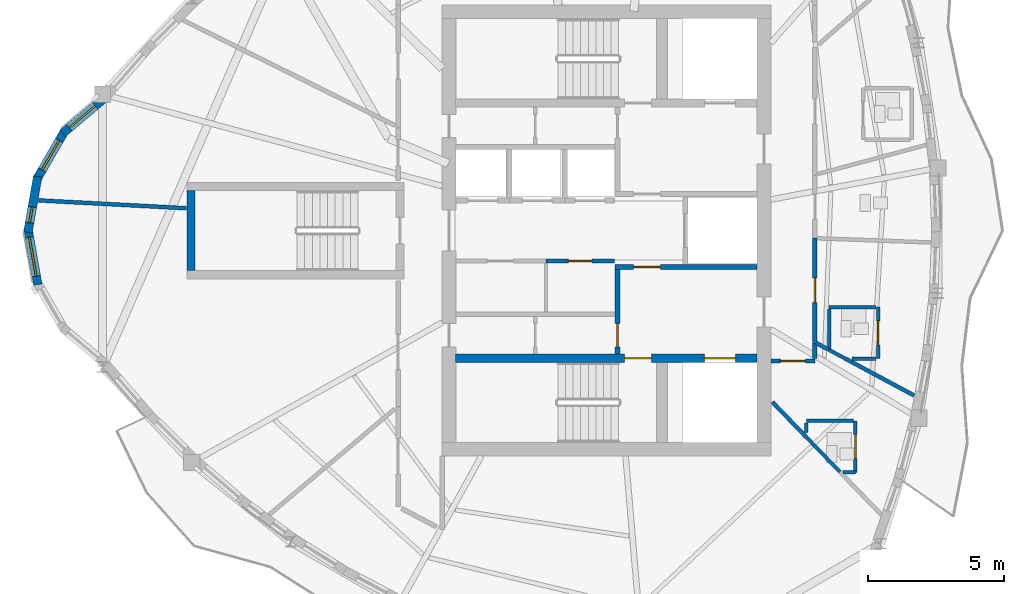
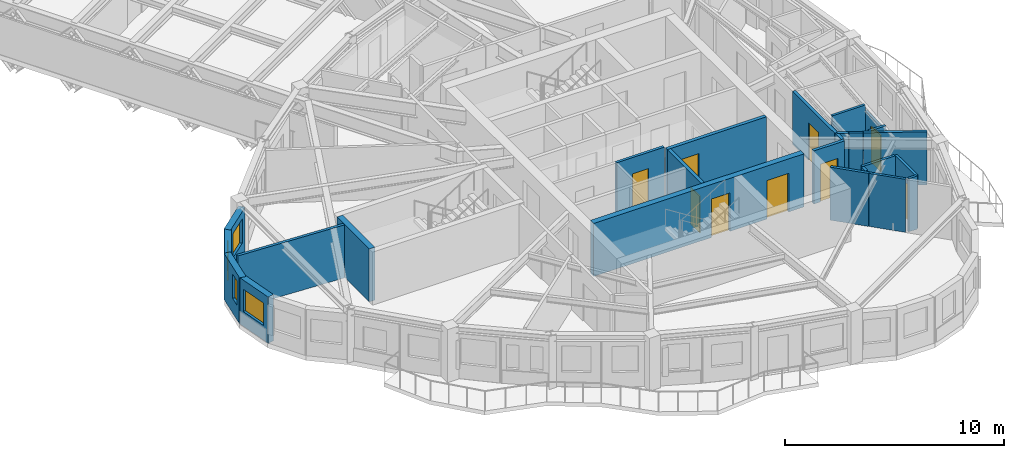
# One storey, part 6 of 14: 26 walls, 9 doors, 4 windows, 13 openings.
"""IFC4 building model written with IfcOpenShell, lengths in metres."""

from ifc_helpers import new_model, si_unit, direction, frame, frame_2d, origin, place, context, subcontext, project, spatial, rectangle, extrude, source, transform, mapped, material, layer, layer_set, type_object, element, fill, save


model = new_model("IFC4")

# Units and contexts
model_context = context("Model", 3, precision=1e-05, world=origin(), true_north=direction((0.0, 1.0)))
body_context = subcontext(model_context, "Body", "Model", "MODEL_VIEW")
ifc_project = project(units=[si_unit("LENGTHUNIT", "METRE"), si_unit("AREAUNIT", "SQUARE_METRE"), si_unit("VOLUMEUNIT", "CUBIC_METRE"), si_unit("PLANEANGLEUNIT", "RADIAN"), si_unit("MASSUNIT", "GRAM", prefix="KILO")], contexts=[model_context])

# Site, building, storey
site_placement = place(None, origin())
site = spatial("IfcSite", under=ifc_project, at=site_placement, CompositionType="ELEMENT")
building_placement = place(site_placement, origin())
building = spatial("IfcBuilding", under=site, at=building_placement, Name="Qafzar Sky-Pleat Residences", CompositionType="ELEMENT")
storey_placement = place(building_placement, frame((0.0, 0.0, 211.60009765625)))
storey = spatial("IfcBuildingStorey", under=building, at=storey_placement, Name="L63", CompositionType="ELEMENT", Elevation=211.60009765625)

# Wall, opening, door
ifc_material_1 = material(Name="Acoustic gypsum plasterboard partition", Category="gypsum")
ifc_layer_1 = layer(ifc_material_1, 0.159912109375)
ifc_layer_set_1 = layer_set([ifc_layer_1], Name="Acoustic gypsum plasterboard partition")
wall_type_1 = type_object("IfcWallType", Name="PART-COR-160", PredefinedType="PARTITIONING", material=ifc_layer_set_1)
wall_1_placement = place(storey_placement, frame((38.02001953125, 25.73291015625, 0.0), z_axis=(0.0, 0.0, 1.0), x_axis=(0.0, -1.0, 0.0)))
wall_1 = element("IfcWall", 1, at=wall_1_placement, inside=storey, type_object=wall_type_1, Name="L63 Partition Wall PART-L63-PW-006", PredefinedType="PARTITIONING", context=body_context, shape_type="SweptSolid", body=[
    extrude(rectangle(XDim=3.86181640625, YDim=0.159912109375, at=frame_2d((1.930908203125, 0.0))), origin(), (0.0, 0.0, 1.0), 2.9599609375),
])
opening_1_placement = place(wall_1_placement, frame((1.469970703125, 0.0, 0.0)))
opening_1 = element("IfcOpeningElement", 2, at=opening_1_placement, cuts=wall_1, Name="Opening ID-04", PredefinedType="OPENING", context=body_context, shape_type="SweptSolid", body=[
    extrude(rectangle(XDim=0.919921875, YDim=2.10009765625, at=frame_2d((0.4599609375, 1.050048828125))), frame((0.0, 0.08984375, 0.0), z_axis=(0.0, -1.0, 0.0), x_axis=(1.0, 0.0, 0.0)), (0.0, 0.0, 1.0), 0.179931640625),
])
ifc_material_2 = material(Name="Timber-faced fire door", Category="wood")
door_type_1 = type_object("IfcDoorType", Name="DR-BED-920", OperationType="NOTDEFINED", PredefinedType="DOOR", material=ifc_material_2)
shared_shape_1 = source(origin(), body_context, "Body", "SweptSolid", [
    extrude(rectangle(XDim=0.919921875, YDim=2.10009765625, at=frame_2d((0.4599609375, 1.050048828125))), frame((0.0, 0.02490234375, 0.0), z_axis=(0.0, -1.0, 0.0), x_axis=(1.0, 0.0, 0.0)), (0.0, 0.0, 1.0), 0.050048828125),
])
door_1_placement = place(opening_1_placement, origin())
door_1 = element("IfcDoor", 3, at=door_1_placement, inside=storey, type_object=door_type_1, Name="L63 Co-Living Bedroom 2 Door", OperationType="SINGLE_SWING_RIGHT", OverallHeight=2.10009765625, OverallWidth=0.919921875, PredefinedType="DOOR", context=body_context, shape_type="MappedRepresentation", body=[
    mapped(shared_shape_1, transform((0.0, 0.0, 0.0), x_axis=(1.0, 0.0, 0.0), y_axis=(0.0, 1.0, 0.0), z_axis=(0.0, 0.0, 1.0), scale=1.0)),
])
fill(opening_1, door_1)

wall_2_placement = place(storey_placement, frame((38.02001953125, 21.199951171875, 0.0), z_axis=(0.0, 0.0, 1.0), x_axis=(-1.0, 0.0, 0.0)))
wall_2 = element("IfcWall", 4, at=wall_2_placement, inside=storey, type_object=wall_type_1, Name="L63 Partition Wall PART-L63-PW-016", PredefinedType="PARTITIONING", context=body_context, shape_type="SweptSolid", body=[
    extrude(rectangle(XDim=1.612060546875, YDim=0.159912109375, at=frame_2d((0.80615234375, 0.0))), origin(), (0.0, 0.0, 1.0), 2.9599609375),
])
opening_2_placement = place(wall_2_placement, frame((0.35009765625, 0.0, 0.0)))
opening_2 = element("IfcOpeningElement", 5, at=opening_2_placement, cuts=wall_2, Name="Opening ID-04", PredefinedType="OPENING", context=body_context, shape_type="SweptSolid", body=[
    extrude(rectangle(XDim=0.919921875, YDim=2.10009765625, at=frame_2d((0.4599609375, 1.050048828125))), frame((0.0, 0.08984375, 0.0), z_axis=(0.0, -1.0, 0.0), x_axis=(1.0, 0.0, 0.0)), (0.0, 0.0, 1.0), 0.179931640625),
])
door_2_placement = place(opening_2_placement, origin())
door_2 = element("IfcDoor", 6, at=door_2_placement, inside=storey, type_object=door_type_1, Name="L63 Co-Living Bedroom 1 Door", OperationType="SINGLE_SWING_RIGHT", OverallHeight=2.10009765625, OverallWidth=0.919921875, PredefinedType="DOOR", context=body_context, shape_type="MappedRepresentation", body=[
    mapped(shared_shape_1, transform((0.0, 0.0, 0.0), x_axis=(1.0, 0.0, 0.0), y_axis=(0.0, 1.0, 0.0), z_axis=(0.0, 0.0, 1.0), scale=1.0)),
])
fill(opening_2, door_2)

# Wall
wall_3_placement = place(storey_placement, frame((38.02001953125, 21.2880859375, 0.0), z_axis=(0.0, 0.0, 1.0), x_axis=(0.0, 1.0, 0.0)))
element("IfcWall", 7, at=wall_3_placement, inside=storey, type_object=wall_type_1, Name="L63 Partition Wall PART-L63-PW-053", PredefinedType="PARTITIONING", context=body_context, shape_type="SweptSolid", body=[
    extrude(rectangle(XDim=0.56787109375, YDim=0.159912109375, at=frame_2d((0.283935546875, 0.0))), origin(), (0.0, 0.0, 1.0), 2.9599609375),
])

# Wall, opening, door
ifc_material_3 = material(Name="Concrete blockwork partition", Category="masonry")
ifc_layer_2 = layer(ifc_material_3, 0.179931640625)
ifc_layer_set_2 = layer_set([ifc_layer_2], Name="Concrete blockwork partition")
wall_type_2 = type_object("IfcWallType", Name="PART-SHAFT-180", PredefinedType="PARTITIONING", material=ifc_layer_set_2)
wall_4_placement = place(storey_placement, frame((30.75, 21.4599609375, 0.0), z_axis=(0.0, 0.0, 1.0), x_axis=(0.0, 1.0, 0.0)))
wall_4 = element("IfcWall", 8, at=wall_4_placement, inside=storey, type_object=wall_type_2, Name="L63 Partition Wall PART-L63-FFL1-W", PredefinedType="PARTITIONING", context=body_context, shape_type="SweptSolid", body=[
    extrude(rectangle(XDim=3.110107421875, YDim=0.179931640625, at=frame_2d((1.55517578125, 0.0))), origin(), (0.0, 0.0, 1.0), 2.9599609375),
])
opening_3_placement = place(wall_4_placement, frame((0.260009765625, 0.0, 0.0)))
opening_3 = element("IfcOpeningElement", 9, at=opening_3_placement, cuts=wall_4, Name="Opening ID-09", PredefinedType="OPENING", context=body_context, shape_type="SweptSolid", body=[
    extrude(rectangle(XDim=0.860107421875, YDim=2.050048828125, at=frame_2d((0.43017578125, 1.02490234375))), frame((0.0, 0.10009765625, 0.0), z_axis=(0.0, -1.0, 0.0), x_axis=(1.0, 0.0, 0.0)), (0.0, 0.0, 1.0), 0.199951171875),
])
door_type_2 = type_object("IfcDoorType", Name="DR-SVC-860", OperationType="NOTDEFINED", PredefinedType="DOOR", material=ifc_material_2)
shared_shape_2 = source(origin(), body_context, "Body", "SweptSolid", [
    extrude(rectangle(XDim=0.860107421875, YDim=2.050048828125, at=frame_2d((0.43017578125, 1.02490234375))), frame((0.0, 0.02490234375, 0.0), z_axis=(0.0, -1.0, 0.0), x_axis=(1.0, 0.0, 0.0)), (0.0, 0.0, 1.0), 0.050048828125),
])
door_3_placement = place(opening_3_placement, origin())
door_3 = element("IfcDoor", 10, at=door_3_placement, inside=storey, type_object=door_type_2, Name="L63 South Core Cupboard Door", OperationType="SINGLE_SWING_LEFT", OverallHeight=2.050048828125, OverallWidth=0.860107421875, PredefinedType="DOOR", context=body_context, shape_type="MappedRepresentation", body=[
    mapped(shared_shape_2, transform((0.0, 0.0, 0.0), x_axis=(1.0, 0.0, 0.0), y_axis=(0.0, 1.0, 0.0), z_axis=(0.0, 0.0, 1.0), scale=1.0)),
])
fill(opening_3, door_3)

wall_5_placement = place(storey_placement, frame((30.669921875, 24.659912109375, 0.0), z_axis=(0.0, 0.0, 1.0), x_axis=(1.0, 0.0, 0.0)))
wall_5 = element("IfcWall", 11, at=wall_5_placement, inside=storey, type_object=wall_type_2, Name="L63 Partition Wall PART-L63-FFL1-N", PredefinedType="PARTITIONING", context=body_context, shape_type="SweptSolid", body=[
    extrude(rectangle(XDim=5.219970703125, YDim=0.179931640625, at=frame_2d((2.60986328125, 0.0))), origin(), (0.0, 0.0, 1.0), 2.9599609375),
])
opening_4_placement = place(wall_5_placement, frame((0.679931640625, 0.0, 0.0)))
opening_4 = element("IfcOpeningElement", 12, at=opening_4_placement, cuts=wall_5, Name="Opening ID-01", PredefinedType="OPENING", context=body_context, shape_type="SweptSolid", body=[
    extrude(rectangle(XDim=0.97998046875, YDim=2.14990234375, at=frame_2d((0.489990234375, 1.074951171875))), frame((0.0, 0.10009765625, 0.0), z_axis=(0.0, -1.0, 0.0), x_axis=(1.0, 0.0, 0.0)), (0.0, 0.0, 1.0), 0.199951171875),
])
door_type_3 = type_object("IfcDoorType", Name="DR-STAIR-980", OperationType="NOTDEFINED", PredefinedType="DOOR", material=ifc_material_2)
shared_shape_3 = source(origin(), body_context, "Body", "SweptSolid", [
    extrude(rectangle(XDim=0.97998046875, YDim=2.14990234375, at=frame_2d((0.489990234375, 1.074951171875))), frame((0.0, 0.02490234375, 0.0), z_axis=(0.0, -1.0, 0.0), x_axis=(1.0, 0.0, 0.0)), (0.0, 0.0, 1.0), 0.050048828125),
])
door_4_placement = place(opening_4_placement, origin())
door_4 = element("IfcDoor", 13, at=door_4_placement, inside=storey, type_object=door_type_3, Name="L63 Lift Lobby to South Firefighting Lobby Door", OperationType="SINGLE_SWING_RIGHT", OverallHeight=2.14990234375, OverallWidth=0.97998046875, PredefinedType="DOOR", context=body_context, shape_type="MappedRepresentation", body=[
    mapped(shared_shape_3, transform((0.0, 0.0, 0.0), x_axis=(1.0, 0.0, 0.0), y_axis=(0.0, 1.0, 0.0), z_axis=(0.0, 0.0, 1.0), scale=1.0)),
])
fill(opening_4, door_4)

ifc_layer_3 = layer(ifc_material_1, 0.14501953125)
ifc_layer_set_3 = layer_set([ifc_layer_3], Name="Acoustic gypsum plasterboard partition")
wall_type_3 = type_object("IfcWallType", Name="PART-UNIT-145", PredefinedType="PARTITIONING", material=ifc_layer_set_3)
wall_6_placement = place(storey_placement, frame((28.1298828125, 24.8798828125, 0.0), z_axis=(0.0, 0.0, 1.0), x_axis=(1.0, 0.0, 0.0)))
wall_6 = element("IfcWall", 14, at=wall_6_placement, inside=storey, type_object=wall_type_3, Name="L63 Partition Wall PART-L63-RECLAIM-N2", PredefinedType="PARTITIONING", context=body_context, shape_type="SweptSolid", body=[
    extrude(rectangle(XDim=2.52001953125, YDim=0.14501953125, at=frame_2d((1.260009765625, 0.0))), origin(), (0.0, 0.0, 1.0), 2.9599609375),
])
opening_5_placement = place(wall_6_placement, frame((0.820068359375, 0.0, 0.0)))
opening_5 = element("IfcOpeningElement", 15, at=opening_5_placement, cuts=wall_6, Name="Opening ID-09", PredefinedType="OPENING", context=body_context, shape_type="SweptSolid", body=[
    extrude(rectangle(XDim=0.860107421875, YDim=2.050048828125, at=frame_2d((0.43017578125, 1.02490234375))), frame((0.0, 0.08251953125, 0.0), z_axis=(0.0, -1.0, 0.0), x_axis=(1.0, 0.0, 0.0)), (0.0, 0.0, 1.0), 0.1650390625),
])
door_5_placement = place(opening_5_placement, origin())
door_5 = element("IfcDoor", 16, at=door_5_placement, inside=storey, type_object=door_type_2, Name="L63 Reclaimed Linen Cupboard Door", OperationType="SINGLE_SWING_RIGHT", OverallHeight=2.050048828125, OverallWidth=0.860107421875, PredefinedType="DOOR", context=body_context, shape_type="MappedRepresentation", body=[
    mapped(shared_shape_2, transform((0.0, 0.0, 0.0), x_axis=(1.0, 0.0, 0.0), y_axis=(0.0, 1.0, 0.0), z_axis=(0.0, 0.0, 1.0), scale=1.0)),
])
fill(opening_5, door_5)

# Walls
wall_7_placement = place(storey_placement, frame((9.43310546875, 27.111572265625, 0.0), z_axis=(0.0, 0.0, 1.0), x_axis=(0.998589537807, -0.053093643525, 0.0)))
element("IfcWall", 17, at=wall_7_placement, inside=storey, type_object=wall_type_3, Name="L63 Partition Wall PART-L63-PW-022", PredefinedType="PARTITIONING", context=body_context, shape_type="SweptSolid", body=[
    extrude(rectangle(XDim=5.462890625, YDim=0.14501953125, at=frame_2d((2.7314453125, 0.0))), origin(), (0.0, 0.0, 1.0), 2.9599609375),
])
wall_8_placement = place(storey_placement, frame((39.1220703125, 21.297119140625, 0.0), z_axis=(0.0, 0.0, 1.0), x_axis=(0.881308328415, -0.472541670402, 0.0)))
element("IfcWall", 18, at=wall_8_placement, inside=storey, type_object=wall_type_3, Name="L63 Partition Wall PART-L63-PW-028", PredefinedType="PARTITIONING", context=body_context, shape_type="SweptSolid", body=[
    extrude(rectangle(XDim=2.89794921875, YDim=0.14501953125, at=frame_2d((1.448974609375, 0.0))), origin(), (0.0, 0.0, 1.0), 2.9599609375),
])
wall_9_placement = place(storey_placement, frame((36.457763671875, 19.686279296875, 0.0), z_axis=(0.0, 0.0, 1.0), x_axis=(0.695231916786, -0.718785490868, 0.0)))
element("IfcWall", 19, at=wall_9_placement, inside=storey, type_object=wall_type_3, Name="L63 Partition Wall PART-L63-PW-032", PredefinedType="PARTITIONING", context=body_context, shape_type="SweptSolid", body=[
    extrude(rectangle(XDim=1.82421875, YDim=0.14501953125, at=frame_2d((0.912109375, 0.0))), origin(), (0.0, 0.0, 1.0), 2.9599609375),
])
wall_10_placement = place(storey_placement, frame((38.0595703125, 21.86669921875, 0.0), z_axis=(0.0, 0.0, 1.0), x_axis=(0.881026965879, -0.473066047601, 0.0)))
element("IfcWall", 20, at=wall_10_placement, inside=storey, type_object=wall_type_3, Name="L63 Partition Wall PART-L63-PW-056", PredefinedType="PARTITIONING", context=body_context, shape_type="SweptSolid", body=[
    extrude(rectangle(XDim=0.521240234375, YDim=0.14501953125, at=frame_2d((0.2607421875, 0.0))), origin(), (0.0, 0.0, 1.0), 2.9599609375),
])

# Wall, opening, door
ifc_material_4 = material(Name="Moisture-resistant gypsum partition", Category="gypsum")
ifc_layer_4 = layer(ifc_material_4, 0.1298828125)
ifc_layer_set_4 = layer_set([ifc_layer_4], Name="Moisture-resistant gypsum partition")
wall_type_4 = type_object("IfcWallType", Name="PART-WET-130", PredefinedType="PARTITIONING", material=ifc_layer_set_4)
wall_11_placement = place(storey_placement, frame((39.510986328125, 17.093994140625, 0.0), z_axis=(0.0, 0.0, 1.0), x_axis=(0.0, 1.0, 0.0)))
wall_11 = element("IfcWall", 21, at=wall_11_placement, inside=storey, type_object=wall_type_4, Name="L63 Partition Wall PART-L63-PW-013", PredefinedType="PARTITIONING", context=body_context, shape_type="SweptSolid", body=[
    extrude(rectangle(XDim=1.89990234375, YDim=0.1298828125, at=frame_2d((0.949951171875, 0.0))), origin(), (0.0, 0.0, 1.0), 2.9599609375),
])
opening_6_placement = place(wall_11_placement, frame((0.510009765625, 0.0, 0.0)))
opening_6 = element("IfcOpeningElement", 22, at=opening_6_placement, cuts=wall_11, Name="Opening ID-07", PredefinedType="OPENING", context=body_context, shape_type="SweptSolid", body=[
    extrude(rectangle(XDim=0.8798828125, YDim=2.050048828125, at=frame_2d((0.43994140625, 1.02490234375))), frame((0.0, 0.074951171875, 0.0), z_axis=(0.0, -1.0, 0.0), x_axis=(1.0, 0.0, 0.0)), (0.0, 0.0, 1.0), 0.14990234375),
])
door_type_4 = type_object("IfcDoorType", Name="DR-WET-880", OperationType="NOTDEFINED", PredefinedType="DOOR", material=ifc_material_2)
shared_shape_4 = source(origin(), body_context, "Body", "SweptSolid", [
    extrude(rectangle(XDim=0.8798828125, YDim=2.050048828125, at=frame_2d((0.43994140625, 1.02490234375))), frame((0.0, 0.02490234375, 0.0), z_axis=(0.0, -1.0, 0.0), x_axis=(1.0, 0.0, 0.0)), (0.0, 0.0, 1.0), 0.050048828125),
])
door_6_placement = place(opening_6_placement, origin())
door_6 = element("IfcDoor", 23, at=door_6_placement, inside=storey, type_object=door_type_4, Name="L63 En-suite Bathroom 1 Door", OperationType="SINGLE_SWING_LEFT", OverallHeight=2.050048828125, OverallWidth=0.8798828125, PredefinedType="DOOR", context=body_context, shape_type="MappedRepresentation", body=[
    mapped(shared_shape_4, transform((0.0, 0.0, 0.0), x_axis=(1.0, 0.0, 0.0), y_axis=(0.0, 1.0, 0.0), z_axis=(0.0, 0.0, 1.0), scale=1.0)),
])
fill(opening_6, door_6)

wall_12_placement = place(storey_placement, frame((40.346923828125, 21.281982421875, 0.0), z_axis=(0.0, 0.0, 1.0), x_axis=(0.0, 1.0, 0.0)))
wall_12 = element("IfcWall", 24, at=wall_12_placement, inside=storey, type_object=wall_type_4, Name="L63 Partition Wall PART-L63-PW-014", PredefinedType="PARTITIONING", context=body_context, shape_type="SweptSolid", body=[
    extrude(rectangle(XDim=1.89990234375, YDim=0.1298828125, at=frame_2d((0.949951171875, 0.0))), origin(), (0.0, 0.0, 1.0), 2.597900390625),
])
opening_7_placement = place(wall_12_placement, frame((0.510009765625, 0.0, 0.0)))
opening_7 = element("IfcOpeningElement", 25, at=opening_7_placement, cuts=wall_12, Name="Opening ID-07", PredefinedType="OPENING", context=body_context, shape_type="SweptSolid", body=[
    extrude(rectangle(XDim=0.8798828125, YDim=2.050048828125, at=frame_2d((0.43994140625, 1.02490234375))), frame((0.0, 0.074951171875, 0.0), z_axis=(0.0, -1.0, 0.0), x_axis=(1.0, 0.0, 0.0)), (0.0, 0.0, 1.0), 0.14990234375),
])
door_7_placement = place(opening_7_placement, origin())
door_7 = element("IfcDoor", 26, at=door_7_placement, inside=storey, type_object=door_type_4, Name="L63 En-suite Bathroom 2 Door", OperationType="SINGLE_SWING_RIGHT", OverallHeight=2.050048828125, OverallWidth=0.8798828125, PredefinedType="DOOR", context=body_context, shape_type="MappedRepresentation", body=[
    mapped(shared_shape_4, transform((0.0, 0.0, 0.0), x_axis=(1.0, 0.0, 0.0), y_axis=(0.0, 1.0, 0.0), z_axis=(0.0, 0.0, 1.0), scale=1.0)),
])
fill(opening_7, door_7)

# Walls
wall_13_placement = place(storey_placement, frame((37.7109375, 18.993896484375, 0.0), z_axis=(0.0, 0.0, 1.0), x_axis=(1.0, 0.0, 0.0)))
element("IfcWall", 27, at=wall_13_placement, inside=storey, type_object=wall_type_4, Name="L63 Partition Wall PART-L63-PW-034", PredefinedType="PARTITIONING", context=body_context, shape_type="SweptSolid", body=[
    extrude(rectangle(XDim=1.72705078125, YDim=0.1298828125, at=frame_2d((0.863525390625, 0.0))), origin(), (0.0, 0.0, 1.0), 2.9599609375),
])
wall_14_placement = place(storey_placement, frame((38.547119140625, 23.181884765625, 0.0), z_axis=(0.0, 0.0, 1.0), x_axis=(1.0, 0.0, 0.0)))
element("IfcWall", 28, at=wall_14_placement, inside=storey, type_object=wall_type_4, Name="L63 Partition Wall PART-L63-PW-035", PredefinedType="PARTITIONING", context=body_context, shape_type="SweptSolid", body=[
    extrude(rectangle(XDim=1.726806640625, YDim=0.1298828125, at=frame_2d((0.86328125, 0.0))), origin(), (0.0, 0.0, 1.0), 2.9599609375),
])
wall_15_placement = place(storey_placement, frame((37.736328125, 18.3642578125, 0.0), z_axis=(0.0, 0.0, 1.0), x_axis=(0.695451956037, -0.718572596781, 0.0)))
element("IfcWall", 29, at=wall_15_placement, inside=storey, type_object=wall_type_4, Name="L63 Partition Wall PART-L63-PW-038", PredefinedType="PARTITIONING", context=body_context, shape_type="SweptSolid", body=[
    extrude(rectangle(XDim=1.731689453125, YDim=0.1298828125, at=frame_2d((0.86572265625, 0.0))), origin(), (0.0, 0.0, 1.0), 2.9599609375),
])
wall_16_placement = place(storey_placement, frame((38.547119140625, 21.60498046875, 0.0), z_axis=(0.0, 0.0, 1.0), x_axis=(0.0, 1.0, 0.0)))
element("IfcWall", 30, at=wall_16_placement, inside=storey, type_object=wall_type_4, Name="L63 Partition Wall PART-L63-PW-042", PredefinedType="PARTITIONING", context=body_context, shape_type="SweptSolid", body=[
    extrude(rectangle(XDim=1.50390625, YDim=0.1298828125, at=frame_2d((0.751953125, 0.0))), origin(), (0.0, 0.0, 1.0), 2.6279296875),
])
wall_17_placement = place(storey_placement, frame((39.389892578125, 21.281982421875, 0.0), z_axis=(0.0, 0.0, 1.0), x_axis=(1.0, 0.0, 0.0)))
element("IfcWall", 31, at=wall_17_placement, inside=storey, type_object=wall_type_4, Name="L63 Partition Wall PART-L63-PW-046", PredefinedType="PARTITIONING", context=body_context, shape_type="SweptSolid", body=[
    extrude(rectangle(XDim=0.884033203125, YDim=0.1298828125, at=frame_2d((0.44189453125, 0.0))), origin(), (0.0, 0.0, 1.0), 2.9599609375),
])
wall_18_placement = place(storey_placement, frame((38.531982421875, 21.613037109375, 0.0), z_axis=(0.0, 0.0, 1.0), x_axis=(0.881618593919, -0.471962556626, 0.0)))
element("IfcWall", 32, at=wall_18_placement, inside=storey, type_object=wall_type_4, Name="L63 Partition Wall PART-L63-PW-054", PredefinedType="PARTITIONING", context=body_context, shape_type="SweptSolid", body=[
    extrude(rectangle(XDim=0.654296875, YDim=0.1298828125, at=frame_2d((0.3271484375, 0.0))), origin(), (0.0, 0.0, 1.0), 2.9599609375),
])
wall_19_placement = place(storey_placement, frame((37.7109375, 18.570556640625, 0.0), z_axis=(0.0, 0.0, 1.0), x_axis=(0.0, 1.0, 0.0)))
element("IfcWall", 33, at=wall_19_placement, inside=storey, type_object=wall_type_4, Name="L63 Partition Wall PART-L63-PW-055", PredefinedType="PARTITIONING", context=body_context, shape_type="SweptSolid", body=[
    extrude(rectangle(XDim=0.350341796875, YDim=0.1298828125, at=frame_2d((0.17529296875, 0.0))), origin(), (0.0, 0.0, 1.0), 2.9599609375),
])
wall_20_placement = place(storey_placement, frame((39.055908203125, 17.093994140625, 0.0), z_axis=(0.0, 0.0, 1.0), x_axis=(1.0, 0.0, 0.0)))
element("IfcWall", 34, at=wall_20_placement, inside=storey, type_object=wall_type_4, Name="L63 Partition Wall PART-L63-PW-057", PredefinedType="PARTITIONING", context=body_context, shape_type="SweptSolid", body=[
    extrude(rectangle(XDim=0.455078125, YDim=0.1298828125, at=frame_2d((0.2275390625, 0.0))), origin(), (0.0, 0.0, 1.0), 2.9599609375),
])

# Wall, opening, window
ifc_material_5 = material(Name="Precast concrete C40/50 with honed Riyadh limestone", Category="concrete")
ifc_layer_5 = layer(ifc_material_5, 0.320068359375)
ifc_layer_set_5 = layer_set([ifc_layer_5], Name="Precast concrete C40/50 with honed Riyadh limestone")
wall_type_5 = type_object("IfcWallType", Name="WALL-EXT-320", PredefinedType="SOLIDWALL", material=ifc_layer_set_5)
wall_21_placement = place(storey_placement, frame((11.828857421875, 30.842529296875, 0.0), z_axis=(0.0, 0.0, 1.0), x_axis=(-0.76606505432, -0.642763045414, 0.0)))
wall_21 = element("IfcWall", 35, at=wall_21_placement, inside=storey, type_object=wall_type_5, Name="L63 Limestone Facade Wall 1", PredefinedType="SOLIDWALL", context=body_context, shape_type="SweptSolid", body=[
    extrude(rectangle(XDim=1.962158203125, YDim=0.320068359375, at=frame_2d((0.98095703125, 0.0))), origin(), (0.0, 0.0, 1.0), 2.579833984375),
])
opening_8_placement = place(wall_21_placement, frame((0.39111328125, 0.0, 0.820068359375)))
opening_8 = element("IfcOpeningElement", 36, at=opening_8_placement, cuts=wall_21, Name="Opening WN-11", PredefinedType="OPENING", context=body_context, shape_type="SweptSolid", body=[
    extrude(rectangle(XDim=1.25, YDim=1.35009765625, at=frame_2d((0.625, 0.675048828125))), frame((0.0, 0.169921875, 0.0), z_axis=(0.0, -1.0, 0.0), x_axis=(1.0, 0.0, 0.0)), (0.0, 0.0, 1.0), 0.340087890625),
])
ifc_material_6 = material(Name="Solar-control low-E glass in bronze aluminium frame", Category="glass")
window_type_1 = type_object("IfcWindowType", Name="WIN-11", PartitioningType="SINGLE_PANEL", PredefinedType="WINDOW", material=ifc_material_6)
shared_shape_5 = source(origin(), body_context, "Body", "SweptSolid", [
    extrude(rectangle(XDim=1.25, YDim=1.35009765625, at=frame_2d((0.625, 0.675048828125))), frame((0.0, 0.030029296875, 0.0), z_axis=(0.0, -1.0, 0.0), x_axis=(1.0, 0.0, 0.0)), (0.0, 0.0, 1.0), 0.06005859375),
])
window_1_placement = place(opening_8_placement, origin())
window_1 = element("IfcWindow", 37, at=window_1_placement, inside=storey, type_object=window_type_1, Name="L63 Punched Facade Window 01", OverallHeight=1.35009765625, OverallWidth=1.25, PartitioningType="SINGLE_PANEL", PredefinedType="WINDOW", context=body_context, shape_type="MappedRepresentation", body=[
    mapped(shared_shape_5, transform((0.0, 0.0, 0.0), x_axis=(1.0, 0.0, 0.0), y_axis=(0.0, 1.0, 0.0), z_axis=(0.0, 0.0, 1.0), scale=1.0)),
])
fill(opening_8, window_1)

wall_22_placement = place(storey_placement, frame((10.409423828125, 29.68115234375, 0.0), z_axis=(0.0, 0.0, 1.0), x_axis=(-0.49990781971, -0.866078617559, 0.0)))
wall_22 = element("IfcWall", 38, at=wall_22_placement, inside=storey, type_object=wall_type_5, Name="L63 Limestone Facade Wall 2", PredefinedType="SOLIDWALL", context=body_context, shape_type="SweptSolid", body=[
    extrude(rectangle(XDim=2.09033203125, YDim=0.320068359375, at=frame_2d((1.045166015625, 0.0))), origin(), (0.0, 0.0, 1.0), 2.579833984375),
])
opening_9_placement = place(wall_22_placement, frame((0.420166015625, 0.0, 0.820068359375)))
opening_9 = element("IfcOpeningElement", 39, at=opening_9_placement, cuts=wall_22, Name="Opening WN-11", PredefinedType="OPENING", context=body_context, shape_type="SweptSolid", body=[
    extrude(rectangle(XDim=1.25, YDim=1.35009765625, at=frame_2d((0.625, 0.675048828125))), frame((0.0, 0.169921875, 0.0), z_axis=(0.0, -1.0, 0.0), x_axis=(1.0, 0.0, 0.0)), (0.0, 0.0, 1.0), 0.340087890625),
])
window_2_placement = place(opening_9_placement, origin())
window_2 = element("IfcWindow", 40, at=window_2_placement, inside=storey, type_object=window_type_1, Name="L63 Punched Facade Window 02", OverallHeight=1.35009765625, OverallWidth=1.25, PartitioningType="SINGLE_PANEL", PredefinedType="WINDOW", context=body_context, shape_type="MappedRepresentation", body=[
    mapped(shared_shape_5, transform((0.0, 0.0, 0.0), x_axis=(1.0, 0.0, 0.0), y_axis=(0.0, 1.0, 0.0), z_axis=(0.0, 0.0, 1.0), scale=1.0)),
])
fill(opening_9, window_2)

wall_23_placement = place(storey_placement, frame((9.408935546875, 27.993408203125, 0.0), z_axis=(0.0, 0.0, 1.0), x_axis=(-0.173672066494, -0.984803540469, 0.0)))
wall_23 = element("IfcWall", 41, at=wall_23_placement, inside=storey, type_object=wall_type_5, Name="L63 Limestone Facade Wall 3", PredefinedType="SOLIDWALL", context=body_context, shape_type="SweptSolid", body=[
    extrude(rectangle(XDim=2.09033203125, YDim=0.320068359375, at=frame_2d((1.045166015625, 0.0))), origin(), (0.0, 0.0, 1.0), 2.579833984375),
])
opening_10_placement = place(wall_23_placement, frame((1.149169921875, 0.0, 0.820068359375)))
opening_10 = element("IfcOpeningElement", 42, at=opening_10_placement, cuts=wall_23, Name="Opening WN-17", PredefinedType="OPENING", context=body_context, shape_type="SweptSolid", body=[
    extrude(rectangle(XDim=0.580078125, YDim=1.35009765625, at=frame_2d((0.2900390625, 0.675048828125))), frame((0.0, 0.169921875, 0.0), z_axis=(0.0, -1.0, 0.0), x_axis=(1.0, 0.0, 0.0)), (0.0, 0.0, 1.0), 0.340087890625),
])
window_type_2 = type_object("IfcWindowType", Name="WIN-17", PartitioningType="SINGLE_PANEL", PredefinedType="WINDOW", material=ifc_material_6)
shared_shape_6 = source(origin(), body_context, "Body", "SweptSolid", [
    extrude(rectangle(XDim=0.580078125, YDim=1.35009765625, at=frame_2d((0.2900390625, 0.675048828125))), frame((0.0, 0.030029296875, 0.0), z_axis=(0.0, -1.0, 0.0), x_axis=(1.0, 0.0, 0.0)), (0.0, 0.0, 1.0), 0.06005859375),
])
window_3_placement = place(opening_10_placement, origin())
window_3 = element("IfcWindow", 43, at=window_3_placement, inside=storey, type_object=window_type_2, Name="L63 Punched Facade Window 03-2", OverallHeight=1.35009765625, OverallWidth=0.580078125, PartitioningType="SINGLE_PANEL", PredefinedType="WINDOW", context=body_context, shape_type="MappedRepresentation", body=[
    mapped(shared_shape_6, transform((0.0, 0.0, 0.0), x_axis=(1.0, 0.0, 0.0), y_axis=(0.0, 1.0, 0.0), z_axis=(0.0, 0.0, 1.0), scale=1.0)),
])
fill(opening_10, window_3)

wall_24_placement = place(storey_placement, frame((9.0458984375, 26.065185546875, 0.0), z_axis=(0.0, 0.0, 1.0), x_axis=(0.173672066494, -0.984803540469, 0.0)))
wall_24 = element("IfcWall", 44, at=wall_24_placement, inside=storey, type_object=wall_type_5, Name="L63 Limestone Facade Wall 4", PredefinedType="SOLIDWALL", context=body_context, shape_type="SweptSolid", body=[
    extrude(rectangle(XDim=2.09033203125, YDim=0.320068359375, at=frame_2d((1.045166015625, 0.0))), origin(), (0.0, 0.0, 1.0), 2.579833984375),
])
opening_11_placement = place(wall_24_placement, frame((0.3203125, 0.0, 0.820068359375)))
opening_11 = element("IfcOpeningElement", 45, at=opening_11_placement, cuts=wall_24, Name="Opening WN-15", PredefinedType="OPENING", context=body_context, shape_type="SweptSolid", body=[
    extrude(rectangle(XDim=1.449951171875, YDim=1.25, at=frame_2d((0.72509765625, 0.625))), frame((0.0, 0.169921875, 0.0), z_axis=(0.0, -1.0, 0.0), x_axis=(1.0, 0.0, 0.0)), (0.0, 0.0, 1.0), 0.340087890625),
])
window_type_3 = type_object("IfcWindowType", Name="WIN-15", PartitioningType="SINGLE_PANEL", PredefinedType="WINDOW", material=ifc_material_6)
shared_shape_7 = source(origin(), body_context, "Body", "SweptSolid", [
    extrude(rectangle(XDim=1.449951171875, YDim=1.25, at=frame_2d((0.72509765625, 0.625))), frame((0.0, 0.030029296875, 0.0), z_axis=(0.0, -1.0, 0.0), x_axis=(1.0, 0.0, 0.0)), (0.0, 0.0, 1.0), 0.06005859375),
])
window_4_placement = place(opening_11_placement, origin())
window_4 = element("IfcWindow", 46, at=window_4_placement, inside=storey, type_object=window_type_3, Name="L63 Punched Facade Window 04", OverallHeight=1.25, OverallWidth=1.449951171875, PartitioningType="SINGLE_PANEL", PredefinedType="WINDOW", context=body_context, shape_type="MappedRepresentation", body=[
    mapped(shared_shape_7, transform((0.0, 0.0, 0.0), x_axis=(1.0, 0.0, 0.0), y_axis=(0.0, 1.0, 0.0), z_axis=(0.0, 0.0, 1.0), scale=1.0)),
])
fill(opening_11, window_4)

# Wall, openings, doors
ifc_material_7 = material(Name="Concrete C60/75", Category="concrete")
ifc_layer_6 = layer(ifc_material_7, 0.300048828125)
ifc_layer_set_6 = layer_set([ifc_layer_6], Name="Concrete C60/75")
wall_type_6 = type_object("IfcWallType", Name="WALL-SHEAR-300", PredefinedType="SHEAR", material=ifc_layer_set_6)
wall_25_placement = place(storey_placement, frame((24.800048828125, 21.300048828125, 0.0), z_axis=(0.0, 0.0, 1.0), x_axis=(1.0, 0.0, 0.0)))
wall_25 = element("IfcWall", 47, at=wall_25_placement, inside=storey, type_object=wall_type_6, Name="L63 Stair ST1 and FF1 Shaft North Wall", PredefinedType="SHEAR", context=body_context, shape_type="SweptSolid", body=[
    extrude(rectangle(XDim=11.099853515625, YDim=0.300048828125, at=frame_2d((5.5498046875, 0.0))), origin(), (0.0, 0.0, 1.0), 2.9599609375),
])
opening_12_placement = place(wall_25_placement, frame((6.219970703125, 0.0, 0.0)))
opening_12 = element("IfcOpeningElement", 48, at=opening_12_placement, cuts=wall_25, Name="Opening ID-01", PredefinedType="OPENING", context=body_context, shape_type="SweptSolid", body=[
    extrude(rectangle(XDim=0.97998046875, YDim=2.14990234375, at=frame_2d((0.489990234375, 1.074951171875))), frame((0.0, 0.16015625, 0.0), z_axis=(0.0, -1.0, 0.0), x_axis=(1.0, 0.0, 0.0)), (0.0, 0.0, 1.0), 0.320068359375),
])
opening_13_placement = place(wall_25_placement, frame((9.14990234375, 0.0, 0.0)))
opening_13 = element("IfcOpeningElement", 49, at=opening_13_placement, cuts=wall_25, Name="Opening LD-02", PredefinedType="OPENING", context=body_context, shape_type="SweptSolid", body=[
    extrude(rectangle(XDim=1.14990234375, YDim=2.14990234375, at=frame_2d((0.574951171875, 1.074951171875))), frame((0.0, 0.16015625, 0.0), z_axis=(0.0, -1.0, 0.0), x_axis=(1.0, 0.0, 0.0)), (0.0, 0.0, 1.0), 0.320068359375),
])
door_8_placement = place(opening_12_placement, origin())
door_8 = element("IfcDoor", 50, at=door_8_placement, inside=storey, type_object=door_type_3, Name="L63 Stair ST1 Fire Door", OperationType="SINGLE_SWING_RIGHT", OverallHeight=2.14990234375, OverallWidth=0.97998046875, PredefinedType="DOOR", context=body_context, shape_type="MappedRepresentation", body=[
    mapped(shared_shape_3, transform((0.0, 0.0, 0.0), x_axis=(1.0, 0.0, 0.0), y_axis=(0.0, 1.0, 0.0), z_axis=(0.0, 0.0, 1.0), scale=1.0)),
])
fill(opening_12, door_8)
ifc_material_8 = material(Name="Stainless steel sliding landing door", Category="steel")
door_type_5 = type_object("IfcDoorType", Name="DR-LIFT-FF", OperationType="DOUBLE_DOOR_SLIDING", PredefinedType="DOOR", material=ifc_material_8)
shared_shape_8 = source(origin(), body_context, "Body", "SweptSolid", [
    extrude(rectangle(XDim=1.14990234375, YDim=2.14990234375, at=frame_2d((0.574951171875, 1.074951171875))), frame((0.0, 0.02490234375, 0.0), z_axis=(0.0, -1.0, 0.0), x_axis=(1.0, 0.0, 0.0)), (0.0, 0.0, 1.0), 0.050048828125),
])
door_9_placement = place(opening_13_placement, origin())
door_9 = element("IfcDoor", 51, at=door_9_placement, inside=storey, type_object=door_type_5, Name="L63 Firefighting Lift FF1 Landing Door", OperationType="DOUBLE_DOOR_SLIDING", OverallHeight=2.14990234375, OverallWidth=1.14990234375, PredefinedType="DOOR", context=body_context, shape_type="MappedRepresentation", body=[
    mapped(shared_shape_8, transform((0.0, 0.0, 0.0), x_axis=(1.0, 0.0, 0.0), y_axis=(0.0, 1.0, 0.0), z_axis=(0.0, 0.0, 1.0), scale=1.0)),
])
fill(opening_13, door_9)

# Wall
wall_26_placement = place(storey_placement, frame((15.050048828125, 27.47509765625, 0.0), z_axis=(0.0, 0.0, 1.0), x_axis=(0.0, -1.0, 0.0)))
element("IfcWall", 52, at=wall_26_placement, inside=storey, type_object=wall_type_6, Name="L63 ST3 wall W", PredefinedType="SHEAR", context=body_context, shape_type="SweptSolid", body=[
    extrude(rectangle(XDim=2.9501953125, YDim=0.300048828125, at=frame_2d((1.47509765625, 0.0))), origin(), (0.0, 0.0, 1.0), 2.9599609375),
])

save(model, "model.ifc")
